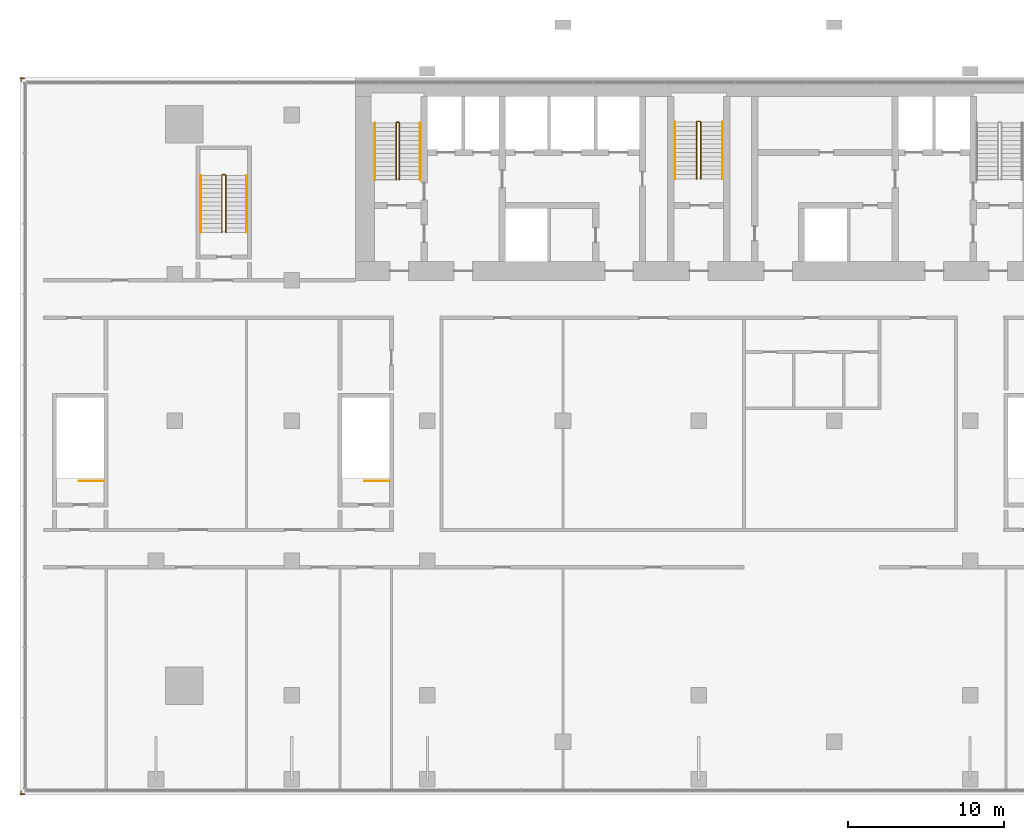
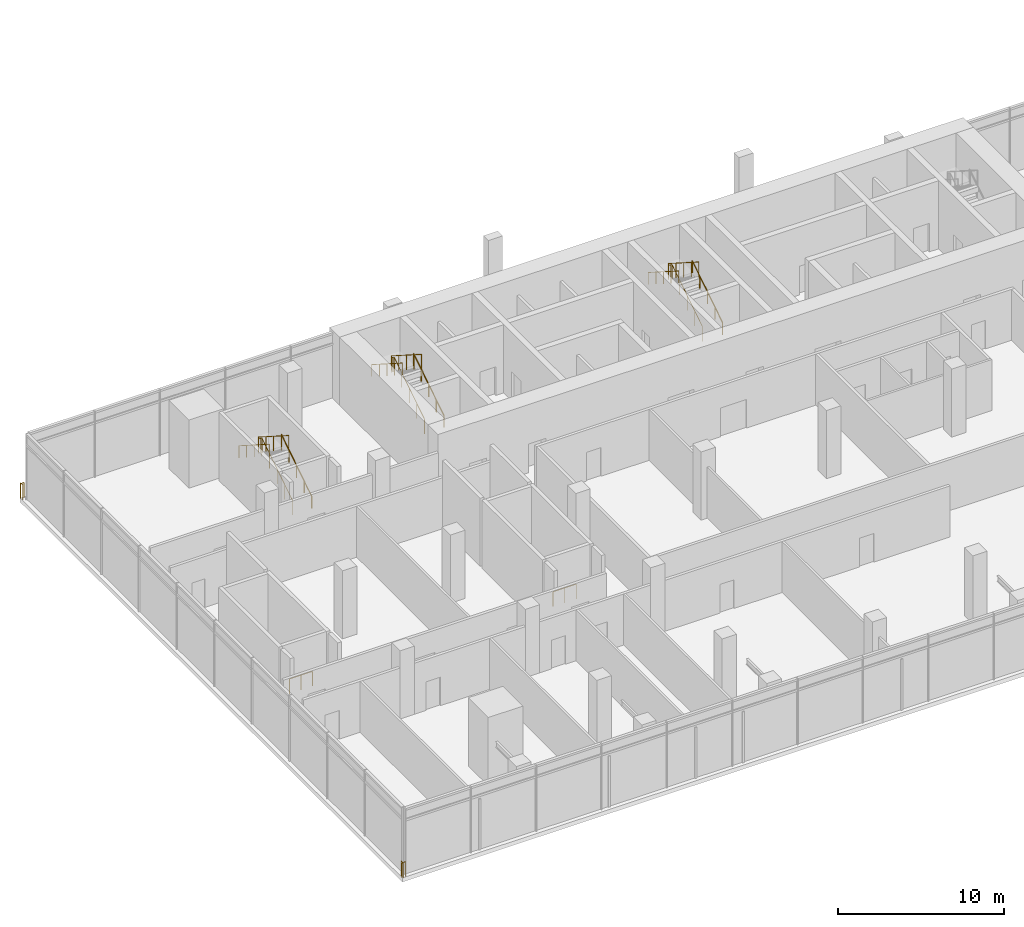
# One storey, part 16 of 17: 13 railings.
"""IFC4 building model written with IfcOpenShell, lengths in metres."""

from ifc_helpers import new_model, si_unit, direction, frame, origin, origin_2d, place, context, subcontext, project, spatial, circle, extrude, material, type_object, element, save


model = new_model("IFC4")

# Units and contexts
model_context = context("Model", 3, precision=1e-05, world=origin(), true_north=direction((0.0, 1.0)))
body_context = subcontext(model_context, "Body", "Model", "MODEL_VIEW")
ifc_project = project(units=[si_unit("LENGTHUNIT", "METRE"), si_unit("AREAUNIT", "SQUARE_METRE"), si_unit("VOLUMEUNIT", "CUBIC_METRE"), si_unit("PLANEANGLEUNIT", "RADIAN"), si_unit("MASSUNIT", "GRAM", prefix="KILO")], contexts=[model_context])

# Site, building, storey
site_placement = place(None, origin())
site = spatial("IfcSite", under=ifc_project, at=site_placement, CompositionType="ELEMENT")
building_placement = place(site_placement, origin())
building = spatial("IfcBuilding", under=site, at=building_placement, Name="Bicima Exchange Tower", CompositionType="ELEMENT")
storey_placement = place(building_placement, frame((0.0, 0.0, 30.0)))
storey = spatial("IfcBuildingStorey", under=building, at=storey_placement, Name="L05", CompositionType="ELEMENT", Elevation=30.0)

# Railings
ifc_material_1 = material(Name="Stainless steel and bonded safety glass", Category="steel")
railing_type_1 = type_object("IfcRailingType", Name="Edge guard 1100", PredefinedType="GUARDRAIL", material=ifc_material_1)
railing_1_placement = place(storey_placement, frame((-43.449951171875, -0.25, 0.0)))
element("IfcRailing", 1, at=railing_1_placement, inside=storey, type_object=railing_type_1, Name="Edge guard L05 17", PredefinedType="GUARDRAIL", context=body_context, shape_type="SweptSolid", body=[
    extrude(circle(Radius=0.02392578125, at=origin_2d()), frame((0.0, 0.0, 1.076171875), z_axis=(0.0, 1.0, 0.0), x_axis=(-1.0, 0.0, 0.0)), (0.0, 0.0, 1.0), 0.25),
    extrude(circle(Radius=0.02392578125, at=origin_2d()), frame((0.0, 0.25, 1.076171875), z_axis=(-0.707106781187, -0.707106781187, 0.0), x_axis=(0.707106781187, -0.707106781187, 0.0)), (0.0, 0.0, 1.0), 0.07080078125),
    extrude(circle(Radius=0.02392578125, at=origin_2d()), frame((-0.050048828125, 0.199951171875, 1.076171875), z_axis=(1.0, 0.0, 0.0), x_axis=(0.0, 1.0, 0.0)), (0.0, 0.0, 1.0), 0.25),
    extrude(circle(Radius=0.02099609375, at=origin_2d()), origin(), (0.0, 0.0, 1.0), 1.052001953125),
    extrude(circle(Radius=0.02099609375, at=origin_2d()), frame((0.0, 0.25, 0.0)), (0.0, 0.0, 1.0), 1.052001953125),
    extrude(circle(Radius=0.02099609375, at=origin_2d()), frame((-0.050048828125, 0.199951171875, 0.0)), (0.0, 0.0, 1.0), 1.052001953125),
    extrude(circle(Radius=0.02099609375, at=origin_2d()), frame((0.199951171875, 0.199951171875, 0.0)), (0.0, 0.0, 1.0), 1.052001953125),
])
railing_2_placement = place(storey_placement, frame((-43.25, -45.949951171875, 0.0)))
element("IfcRailing", 2, at=railing_2_placement, inside=storey, type_object=railing_type_1, Name="Edge guard L05 20", PredefinedType="GUARDRAIL", context=body_context, shape_type="SweptSolid", body=[
    extrude(circle(Radius=0.02392578125, at=origin_2d()), frame((0.0, 0.0, 1.076171875), z_axis=(-1.0, 0.0, 0.0), x_axis=(0.0, -1.0, 0.0)), (0.0, 0.0, 1.0), 0.25),
    extrude(circle(Radius=0.02392578125, at=origin_2d()), frame((-0.25, 0.0, 1.076171875), z_axis=(0.707106781187, -0.707106781187, 0.0), x_axis=(0.707106781187, 0.707106781187, 0.0)), (0.0, 0.0, 1.0), 0.07080078125),
    extrude(circle(Radius=0.02392578125, at=origin_2d()), frame((-0.199951171875, -0.050048828125, 1.076171875), z_axis=(0.0, 1.0, 0.0), x_axis=(-1.0, 0.0, 0.0)), (0.0, 0.0, 1.0), 0.25),
    extrude(circle(Radius=0.02099609375, at=origin_2d()), origin(), (0.0, 0.0, 1.0), 1.052001953125),
    extrude(circle(Radius=0.02099609375, at=origin_2d()), frame((-0.25, 0.0, 0.0)), (0.0, 0.0, 1.0), 1.052001953125),
    extrude(circle(Radius=0.02099609375, at=origin_2d()), frame((-0.199951171875, -0.050048828125, 0.0)), (0.0, 0.0, 1.0), 1.052001953125),
    extrude(circle(Radius=0.02099609375, at=origin_2d()), frame((-0.199951171875, 0.199951171875, 0.0)), (0.0, 0.0, 1.0), 1.052001953125),
])
ifc_material_2 = material(Name="Stainless steel", Category="steel")
railing_type_2 = type_object("IfcRailingType", Name="Stair guard 1100", PredefinedType="GUARDRAIL", material=ifc_material_2)
railing_3_placement = place(storey_placement, frame((-19.199951171875, -6.550048828125, 0.178466796875)))
element("IfcRailing", 3, at=railing_3_placement, inside=storey, type_object=railing_type_2, Name="L05 ST-W stair guard 1", PredefinedType="GUARDRAIL", context=body_context, shape_type="SweptSolid", body=[
    extrude(circle(Radius=0.02392578125, at=origin_2d()), frame((0.0, 0.0, 1.076171875), z_axis=(0.0, 0.843127859045, 0.537713132908), x_axis=(-1.0, 0.0, 0.0)), (0.0, 0.0, 1.0), 4.3173828125),
    extrude(circle(Radius=0.02392578125, at=origin_2d()), frame((0.0, 3.64013671875, 3.3974609375), z_axis=(-0.708833529934, 0.705375805398, 0.0), x_axis=(-0.705375805398, -0.708833529934, 0.0)), (0.0, 0.0, 1.0), 0.070556640625),
    extrude(circle(Radius=0.02392578125, at=origin_2d()), frame((-0.050048828125, 3.68994140625, 3.3974609375), z_axis=(-1.0, 0.0, 0.0), x_axis=(0.0, -1.0, 0.0)), (0.0, 0.0, 1.0), 0.10009765625),
    extrude(circle(Radius=0.02392578125, at=origin_2d()), frame((-0.150146484375, 3.68994140625, 3.3974609375), z_axis=(-0.259584636361, -0.259584636361, 0.930178280294), x_axis=(0.707106781187, -0.707106781187, 0.0)), (0.0, 0.0, 1.0), 0.19189453125),
    extrude(circle(Radius=0.02392578125, at=origin_2d()), frame((-0.199951171875, 3.64013671875, 3.576171875), z_axis=(0.0, -0.843127859045, 0.537713132908), x_axis=(1.0, 0.0, 0.0)), (0.0, 0.0, 1.0), 4.3173828125),
    extrude(circle(Radius=0.02099609375, at=origin_2d()), origin(), (0.0, 0.0, 1.0), 1.052001953125),
    extrude(circle(Radius=0.02099609375, at=origin_2d()), frame((0.0, 0.91015625, 0.580322265625)), (0.0, 0.0, 1.0), 1.052001953125),
    extrude(circle(Radius=0.02099609375, at=origin_2d()), frame((0.0, 1.820068359375, 1.16064453125)), (0.0, 0.0, 1.0), 1.052001953125),
    extrude(circle(Radius=0.02099609375, at=origin_2d()), frame((0.0, 2.72998046875, 1.7412109375)), (0.0, 0.0, 1.0), 1.052001953125),
    extrude(circle(Radius=0.02099609375, at=origin_2d()), frame((0.0, 3.64013671875, 2.321533203125)), (0.0, 0.0, 1.0), 1.052001953125),
    extrude(circle(Radius=0.02099609375, at=origin_2d()), frame((-0.050048828125, 3.68994140625, 2.321533203125)), (0.0, 0.0, 1.0), 1.052001953125),
    extrude(circle(Radius=0.02099609375, at=origin_2d()), frame((-0.150146484375, 3.68994140625, 2.321533203125)), (0.0, 0.0, 1.0), 1.052001953125),
    extrude(circle(Radius=0.02099609375, at=origin_2d()), frame((-0.199951171875, 3.64013671875, 2.5)), (0.0, 0.0, 1.0), 1.052001953125),
    extrude(circle(Radius=0.02099609375, at=origin_2d()), frame((-0.199951171875, 2.72998046875, 3.080322265625)), (0.0, 0.0, 1.0), 1.052001953125),
    extrude(circle(Radius=0.02099609375, at=origin_2d()), frame((-0.199951171875, 1.820068359375, 3.66064453125)), (0.0, 0.0, 1.0), 1.052001953125),
    extrude(circle(Radius=0.02099609375, at=origin_2d()), frame((-0.199951171875, 0.91015625, 4.2412109375)), (0.0, 0.0, 1.0), 1.052001953125),
    extrude(circle(Radius=0.02099609375, at=origin_2d()), frame((-0.199951171875, 0.0, 4.821533203125)), (0.0, 0.0, 1.0), 1.052001953125),
])
railing_4_placement = place(storey_placement, frame((0.125, -6.5, 0.178466796875)))
element("IfcRailing", 4, at=railing_4_placement, inside=storey, type_object=railing_type_2, Name="L05 ST-C stair guard 1", PredefinedType="GUARDRAIL", context=body_context, shape_type="SweptSolid", body=[
    extrude(circle(Radius=0.02392578125, at=origin_2d()), frame((0.0, 0.0, 1.076171875), z_axis=(0.0, 0.843111507901, 0.53773877045), x_axis=(-1.0, 0.0, 0.0)), (0.0, 0.0, 1.0), 4.317138671875),
    extrude(circle(Radius=0.02392578125, at=origin_2d()), frame((0.0, 3.639892578125, 3.3974609375), z_axis=(-0.707106781187, 0.707106781187, 0.0), x_axis=(-0.707106781187, -0.707106781187, 0.0)), (0.0, 0.0, 1.0), 0.07080078125),
    extrude(circle(Radius=0.02392578125, at=origin_2d()), frame((-0.050048828125, 3.68994140625, 3.3974609375), z_axis=(-1.0, 0.0, 0.0), x_axis=(0.0, -1.0, 0.0)), (0.0, 0.0, 1.0), 0.14990234375),
    extrude(circle(Radius=0.02392578125, at=origin_2d()), frame((-0.199951171875, 3.68994140625, 3.3974609375), z_axis=(-0.260684529273, -0.260684529273, 0.929562882432), x_axis=(0.707106781187, -0.707106781187, 0.0)), (0.0, 0.0, 1.0), 0.19189453125),
    extrude(circle(Radius=0.02392578125, at=origin_2d()), frame((-0.25, 3.639892578125, 3.576171875), z_axis=(0.0, -0.843111507901, 0.53773877045), x_axis=(1.0, 0.0, 0.0)), (0.0, 0.0, 1.0), 4.317138671875),
    extrude(circle(Radius=0.02099609375, at=origin_2d()), origin(), (0.0, 0.0, 1.0), 1.052001953125),
    extrude(circle(Radius=0.02099609375, at=origin_2d()), frame((0.0, 0.909912109375, 0.580322265625)), (0.0, 0.0, 1.0), 1.052001953125),
    extrude(circle(Radius=0.02099609375, at=origin_2d()), frame((0.0, 1.81982421875, 1.16064453125)), (0.0, 0.0, 1.0), 1.052001953125),
    extrude(circle(Radius=0.02099609375, at=origin_2d()), frame((0.0, 2.72998046875, 1.7412109375)), (0.0, 0.0, 1.0), 1.052001953125),
    extrude(circle(Radius=0.02099609375, at=origin_2d()), frame((0.0, 3.639892578125, 2.321533203125)), (0.0, 0.0, 1.0), 1.052001953125),
    extrude(circle(Radius=0.02099609375, at=origin_2d()), frame((-0.050048828125, 3.68994140625, 2.321533203125)), (0.0, 0.0, 1.0), 1.052001953125),
    extrude(circle(Radius=0.02099609375, at=origin_2d()), frame((-0.199951171875, 3.68994140625, 2.321533203125)), (0.0, 0.0, 1.0), 1.052001953125),
    extrude(circle(Radius=0.02099609375, at=origin_2d()), frame((-0.25, 3.639892578125, 2.5)), (0.0, 0.0, 1.0), 1.052001953125),
    extrude(circle(Radius=0.02099609375, at=origin_2d()), frame((-0.25, 2.72998046875, 3.080322265625)), (0.0, 0.0, 1.0), 1.052001953125),
    extrude(circle(Radius=0.02099609375, at=origin_2d()), frame((-0.25, 1.81982421875, 3.66064453125)), (0.0, 0.0, 1.0), 1.052001953125),
    extrude(circle(Radius=0.02099609375, at=origin_2d()), frame((-0.25, 0.909912109375, 4.2412109375)), (0.0, 0.0, 1.0), 1.052001953125),
    extrude(circle(Radius=0.02099609375, at=origin_2d()), frame((-0.25, 0.0, 4.821533203125)), (0.0, 0.0, 1.0), 1.052001953125),
])
railing_5_placement = place(storey_placement, frame((-30.324951171875, -9.925048828125, 0.178466796875)))
element("IfcRailing", 5, at=railing_5_placement, inside=storey, type_object=railing_type_2, Name="L05 ST-WW stair guard 1", PredefinedType="GUARDRAIL", context=body_context, shape_type="SweptSolid", body=[
    extrude(circle(Radius=0.02392578125, at=origin_2d()), frame((0.0, 0.0, 1.076171875), z_axis=(0.0, 0.843127859045, 0.537713132908), x_axis=(-1.0, 0.0, 0.0)), (0.0, 0.0, 1.0), 4.3173828125),
    extrude(circle(Radius=0.02392578125, at=origin_2d()), frame((0.0, 3.64013671875, 3.3974609375), z_axis=(-0.708833529934, 0.705375805398, 0.0), x_axis=(-0.705375805398, -0.708833529934, 0.0)), (0.0, 0.0, 1.0), 0.070556640625),
    extrude(circle(Radius=0.02392578125, at=origin_2d()), frame((-0.050048828125, 3.68994140625, 3.3974609375), z_axis=(-1.0, 0.0, 0.0), x_axis=(0.0, -1.0, 0.0)), (0.0, 0.0, 1.0), 0.14990234375),
    extrude(circle(Radius=0.02392578125, at=origin_2d()), frame((-0.199951171875, 3.68994140625, 3.3974609375), z_axis=(-0.26077077684, -0.25949872427, 0.929870428634), x_axis=(0.705375805398, -0.708833529934, 0.0)), (0.0, 0.0, 1.0), 0.19189453125),
    extrude(circle(Radius=0.02392578125, at=origin_2d()), frame((-0.25, 3.64013671875, 3.576171875), z_axis=(0.0, -0.843127859045, 0.537713132908), x_axis=(1.0, 0.0, 0.0)), (0.0, 0.0, 1.0), 4.3173828125),
    extrude(circle(Radius=0.02099609375, at=origin_2d()), origin(), (0.0, 0.0, 1.0), 1.052001953125),
    extrude(circle(Radius=0.02099609375, at=origin_2d()), frame((0.0, 0.91015625, 0.580322265625)), (0.0, 0.0, 1.0), 1.052001953125),
    extrude(circle(Radius=0.02099609375, at=origin_2d()), frame((0.0, 1.820068359375, 1.16064453125)), (0.0, 0.0, 1.0), 1.052001953125),
    extrude(circle(Radius=0.02099609375, at=origin_2d()), frame((0.0, 2.72998046875, 1.7412109375)), (0.0, 0.0, 1.0), 1.052001953125),
    extrude(circle(Radius=0.02099609375, at=origin_2d()), frame((0.0, 3.64013671875, 2.321533203125)), (0.0, 0.0, 1.0), 1.052001953125),
    extrude(circle(Radius=0.02099609375, at=origin_2d()), frame((-0.050048828125, 3.68994140625, 2.321533203125)), (0.0, 0.0, 1.0), 1.052001953125),
    extrude(circle(Radius=0.02099609375, at=origin_2d()), frame((-0.199951171875, 3.68994140625, 2.321533203125)), (0.0, 0.0, 1.0), 1.052001953125),
    extrude(circle(Radius=0.02099609375, at=origin_2d()), frame((-0.25, 3.64013671875, 2.5)), (0.0, 0.0, 1.0), 1.052001953125),
    extrude(circle(Radius=0.02099609375, at=origin_2d()), frame((-0.25, 2.72998046875, 3.080322265625)), (0.0, 0.0, 1.0), 1.052001953125),
    extrude(circle(Radius=0.02099609375, at=origin_2d()), frame((-0.25, 1.820068359375, 3.66064453125)), (0.0, 0.0, 1.0), 1.052001953125),
    extrude(circle(Radius=0.02099609375, at=origin_2d()), frame((-0.25, 0.91015625, 4.2412109375)), (0.0, 0.0, 1.0), 1.052001953125),
    extrude(circle(Radius=0.02099609375, at=origin_2d()), frame((-0.25, 0.0, 4.821533203125)), (0.0, 0.0, 1.0), 1.052001953125),
])
for number, where, name in (
    (6, (-38.125, -25.875, 0.0), "L05 PS-W top well guard 1"),
    (7, (-19.824951171875, -25.875, 0.0), "L05 PS-WI top well guard 1"),
):
    element("IfcRailing", number, at=place(storey_placement, frame(where)), inside=storey, type_object=railing_type_2, Name=name, PredefinedType="GUARDRAIL", context=body_context, shape_type="SweptSolid", body=[
        extrude(circle(Radius=0.02392578125, at=origin_2d()), frame((0.0, 0.0, 1.076171875), z_axis=(-1.0, 0.0, 0.0), x_axis=(0.0, -1.0, 0.0)), (0.0, 0.0, 1.0), 1.60009765625),
        extrude(circle(Radius=0.02099609375, at=origin_2d()), origin(), (0.0, 0.0, 1.0), 1.052001953125),
        extrude(circle(Radius=0.02099609375, at=origin_2d()), frame((-0.800048828125, 0.0, 0.0)), (0.0, 0.0, 1.0), 1.052001953125),
        extrude(circle(Radius=0.02099609375, at=origin_2d()), frame((-1.60009765625, 0.0, 0.0)), (0.0, 0.0, 1.0), 1.052001953125),
    ])
railing_type_3 = type_object("IfcRailingType", Name="Stair handrail 900", PredefinedType="HANDRAIL", material=ifc_material_2)
railing_6_placement = place(storey_placement, frame((-17.85009765625, -6.550048828125, 0.178466796875)))
element("IfcRailing", 8, at=railing_6_placement, inside=storey, type_object=railing_type_3, Name="L05 ST-W stair handrail 1", PredefinedType="HANDRAIL", context=body_context, shape_type="SweptSolid", body=[
    extrude(circle(Radius=0.02392578125, at=origin_2d()), frame((0.0, 0.0, 0.8759765625), z_axis=(0.0, 0.843127859045, 0.537713132908), x_axis=(-1.0, 0.0, 0.0)), (0.0, 0.0, 1.0), 4.3173828125),
    extrude(circle(Radius=0.02099609375, at=origin_2d()), origin(), (0.0, 0.0, 1.0), 0.851806640625),
    extrude(circle(Radius=0.02099609375, at=origin_2d()), frame((0.0, 0.91015625, 0.580322265625)), (0.0, 0.0, 1.0), 0.851806640625),
    extrude(circle(Radius=0.02099609375, at=origin_2d()), frame((0.0, 1.820068359375, 1.16064453125)), (0.0, 0.0, 1.0), 0.851806640625),
    extrude(circle(Radius=0.02099609375, at=origin_2d()), frame((0.0, 2.72998046875, 1.7412109375)), (0.0, 0.0, 1.0), 0.851806640625),
    extrude(circle(Radius=0.02099609375, at=origin_2d()), frame((0.0, 3.64013671875, 2.321533203125)), (0.0, 0.0, 1.0), 0.851806640625),
])
railing_7_placement = place(storey_placement, frame((-20.75, -2.909912109375, 2.711181640625)))
element("IfcRailing", 9, at=railing_7_placement, inside=storey, type_object=railing_type_3, Name="L05 ST-W stair handrail 2", PredefinedType="HANDRAIL", context=body_context, shape_type="SweptSolid", body=[
    extrude(circle(Radius=0.02392578125, at=origin_2d()), frame((0.0, 0.0, 0.8759765625), z_axis=(0.0, -0.843127859045, 0.537713132908), x_axis=(1.0, 0.0, 0.0)), (0.0, 0.0, 1.0), 4.3173828125),
    extrude(circle(Radius=0.02099609375, at=origin_2d()), origin(), (0.0, 0.0, 1.0), 0.851806640625),
    extrude(circle(Radius=0.02099609375, at=origin_2d()), frame((0.0, -0.91015625, 0.580322265625)), (0.0, 0.0, 1.0), 0.851806640625),
    extrude(circle(Radius=0.02099609375, at=origin_2d()), frame((0.0, -1.820068359375, 1.16064453125)), (0.0, 0.0, 1.0), 0.851806640625),
    extrude(circle(Radius=0.02099609375, at=origin_2d()), frame((0.0, -2.72998046875, 1.7412109375)), (0.0, 0.0, 1.0), 0.851806640625),
    extrude(circle(Radius=0.02099609375, at=origin_2d()), frame((0.0, -3.64013671875, 2.321533203125)), (0.0, 0.0, 1.0), 0.851806640625),
])
railing_8_placement = place(storey_placement, frame((1.52490234375, -6.5, 0.178466796875)))
element("IfcRailing", 10, at=railing_8_placement, inside=storey, type_object=railing_type_3, Name="L05 ST-C stair handrail 1", PredefinedType="HANDRAIL", context=body_context, shape_type="SweptSolid", body=[
    extrude(circle(Radius=0.02392578125, at=origin_2d()), frame((0.0, 0.0, 0.8759765625), z_axis=(0.0, 0.843111507901, 0.53773877045), x_axis=(-1.0, 0.0, 0.0)), (0.0, 0.0, 1.0), 4.317138671875),
    extrude(circle(Radius=0.02099609375, at=origin_2d()), origin(), (0.0, 0.0, 1.0), 0.851806640625),
    extrude(circle(Radius=0.02099609375, at=origin_2d()), frame((0.0, 0.909912109375, 0.580322265625)), (0.0, 0.0, 1.0), 0.851806640625),
    extrude(circle(Radius=0.02099609375, at=origin_2d()), frame((0.0, 1.81982421875, 1.16064453125)), (0.0, 0.0, 1.0), 0.851806640625),
    extrude(circle(Radius=0.02099609375, at=origin_2d()), frame((0.0, 2.72998046875, 1.7412109375)), (0.0, 0.0, 1.0), 0.851806640625),
    extrude(circle(Radius=0.02099609375, at=origin_2d()), frame((0.0, 3.639892578125, 2.321533203125)), (0.0, 0.0, 1.0), 0.851806640625),
])
railing_9_placement = place(storey_placement, frame((-1.52490234375, -2.860107421875, 2.711181640625)))
element("IfcRailing", 11, at=railing_9_placement, inside=storey, type_object=railing_type_3, Name="L05 ST-C stair handrail 2", PredefinedType="HANDRAIL", context=body_context, shape_type="SweptSolid", body=[
    extrude(circle(Radius=0.02392578125, at=origin_2d()), frame((0.0, 0.0, 0.8759765625), z_axis=(0.0, -0.843111507901, 0.53773877045), x_axis=(1.0, 0.0, 0.0)), (0.0, 0.0, 1.0), 4.317138671875),
    extrude(circle(Radius=0.02099609375, at=origin_2d()), origin(), (0.0, 0.0, 1.0), 0.851806640625),
    extrude(circle(Radius=0.02099609375, at=origin_2d()), frame((0.0, -0.909912109375, 0.580322265625)), (0.0, 0.0, 1.0), 0.851806640625),
    extrude(circle(Radius=0.02099609375, at=origin_2d()), frame((0.0, -1.81982421875, 1.16064453125)), (0.0, 0.0, 1.0), 0.851806640625),
    extrude(circle(Radius=0.02099609375, at=origin_2d()), frame((0.0, -2.72998046875, 1.7412109375)), (0.0, 0.0, 1.0), 0.851806640625),
    extrude(circle(Radius=0.02099609375, at=origin_2d()), frame((0.0, -3.639892578125, 2.321533203125)), (0.0, 0.0, 1.0), 0.851806640625),
])
railing_10_placement = place(storey_placement, frame((-28.97509765625, -9.925048828125, 0.178466796875)))
element("IfcRailing", 12, at=railing_10_placement, inside=storey, type_object=railing_type_3, Name="L05 ST-WW stair handrail 1", PredefinedType="HANDRAIL", context=body_context, shape_type="SweptSolid", body=[
    extrude(circle(Radius=0.02392578125, at=origin_2d()), frame((0.0, 0.0, 0.8759765625), z_axis=(0.0, 0.843127859045, 0.537713132908), x_axis=(-1.0, 0.0, 0.0)), (0.0, 0.0, 1.0), 4.3173828125),
    extrude(circle(Radius=0.02099609375, at=origin_2d()), origin(), (0.0, 0.0, 1.0), 0.851806640625),
    extrude(circle(Radius=0.02099609375, at=origin_2d()), frame((0.0, 0.91015625, 0.580322265625)), (0.0, 0.0, 1.0), 0.851806640625),
    extrude(circle(Radius=0.02099609375, at=origin_2d()), frame((0.0, 1.820068359375, 1.16064453125)), (0.0, 0.0, 1.0), 0.851806640625),
    extrude(circle(Radius=0.02099609375, at=origin_2d()), frame((0.0, 2.72998046875, 1.7412109375)), (0.0, 0.0, 1.0), 0.851806640625),
    extrude(circle(Radius=0.02099609375, at=origin_2d()), frame((0.0, 3.64013671875, 2.321533203125)), (0.0, 0.0, 1.0), 0.851806640625),
])
railing_11_placement = place(storey_placement, frame((-31.925048828125, -6.284912109375, 2.711181640625)))
element("IfcRailing", 13, at=railing_11_placement, inside=storey, type_object=railing_type_3, Name="L05 ST-WW stair handrail 2", PredefinedType="HANDRAIL", context=body_context, shape_type="SweptSolid", body=[
    extrude(circle(Radius=0.02392578125, at=origin_2d()), frame((0.0, 0.0, 0.8759765625), z_axis=(0.0, -0.843127859045, 0.537713132908), x_axis=(1.0, 0.0, 0.0)), (0.0, 0.0, 1.0), 4.3173828125),
    extrude(circle(Radius=0.02099609375, at=origin_2d()), origin(), (0.0, 0.0, 1.0), 0.851806640625),
    extrude(circle(Radius=0.02099609375, at=origin_2d()), frame((0.0, -0.91015625, 0.580322265625)), (0.0, 0.0, 1.0), 0.851806640625),
    extrude(circle(Radius=0.02099609375, at=origin_2d()), frame((0.0, -1.820068359375, 1.16064453125)), (0.0, 0.0, 1.0), 0.851806640625),
    extrude(circle(Radius=0.02099609375, at=origin_2d()), frame((0.0, -2.72998046875, 1.7412109375)), (0.0, 0.0, 1.0), 0.851806640625),
    extrude(circle(Radius=0.02099609375, at=origin_2d()), frame((0.0, -3.64013671875, 2.321533203125)), (0.0, 0.0, 1.0), 0.851806640625),
])

save(model, "model.ifc")
